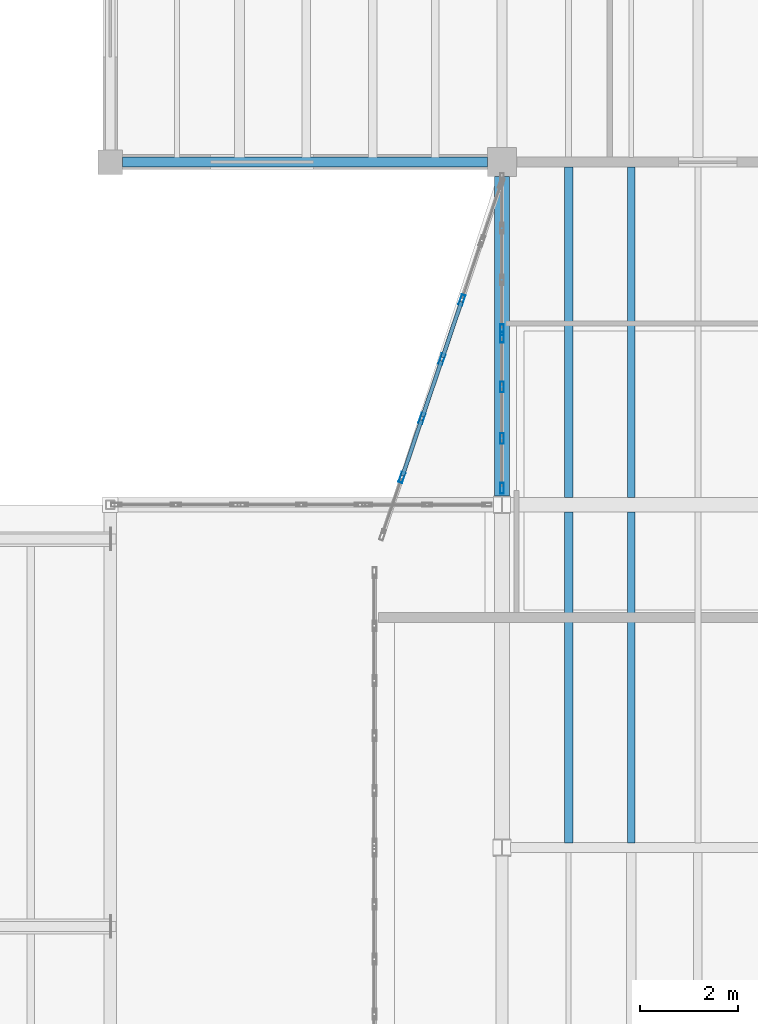
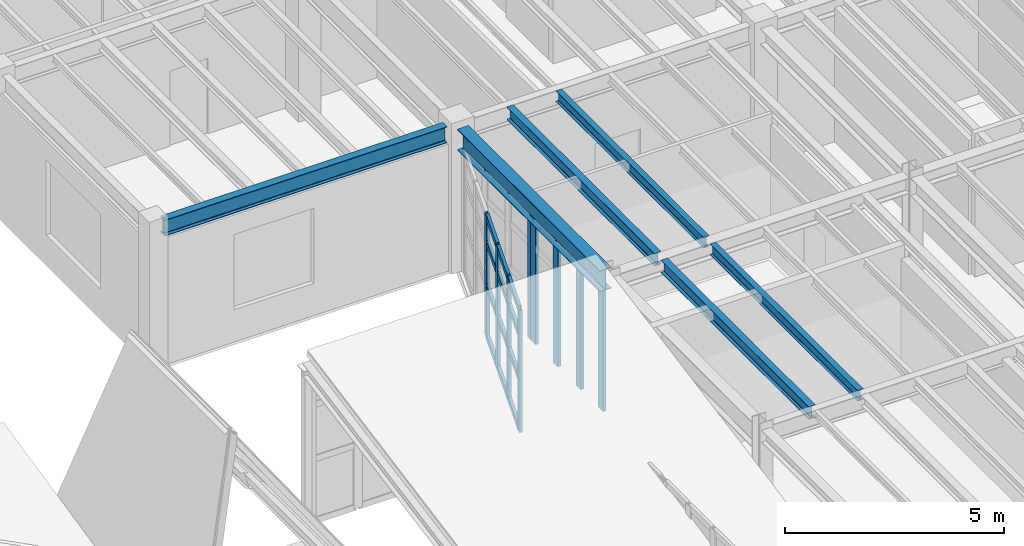
# One storey, part 38 of 77: 21 members, 6 beams, 3 elements without a shape of their own.
"""IFC4 building model written with IfcOpenShell, lengths in metres."""

from ifc_helpers import new_model, si_unit, direction, frame, origin, origin_2d, place, context, subcontext, project, spatial, hollow_rectangle, i_section, extrude, material, material_profile, profile_set, type_object, element, aggregate, save


model = new_model("IFC4")

# Units and contexts
model_context = context("Model", 3, precision=1e-05, world=origin(), true_north=direction((0.0, 1.0)))
body_context = subcontext(model_context, "Body", "Model", "MODEL_VIEW")
ifc_project = project(units=[si_unit("LENGTHUNIT", "METRE"), si_unit("AREAUNIT", "SQUARE_METRE"), si_unit("VOLUMEUNIT", "CUBIC_METRE"), si_unit("PLANEANGLEUNIT", "RADIAN"), si_unit("MASSUNIT", "GRAM", prefix="KILO"), si_unit("THERMODYNAMICTEMPERATUREUNIT", "KELVIN"), si_unit("POWERUNIT", "WATT")], contexts=[model_context])

# Site, building, storey
site_placement = place(None, origin())
site = spatial("IfcSite", under=ifc_project, at=site_placement, CompositionType="ELEMENT")
building_placement = place(site_placement, origin())
building = spatial("IfcBuilding", under=site, at=building_placement, Name="Zhenchuan Central Fire Station", CompositionType="ELEMENT")
storey_placement = place(building_placement, frame((0.0, 0.0, 10.050048828125)))
storey = spatial("IfcBuildingStorey", under=building, at=storey_placement, Name="L03", CompositionType="ELEMENT", Elevation=10.050048828125)

# Beams
ifc_material_1 = material(Name="Steel Q355B", Category="steel")
ifc_material_profile_1 = material_profile(ifc_material_1, i_section(OverallWidth=0.300048828125, OverallDepth=0.587890625, WebThickness=0.011962890625, FlangeThickness=0.02001953125, FilletRadius=0.02392578125, at=origin_2d()), Name="HM 588x300")
ifc_profile_set_1 = profile_set([ifc_material_profile_1], Name="Steel Q355B")
beam_type_1 = type_object("IfcBeamType", Name="BM-HM588", PredefinedType="BEAM", material=ifc_profile_set_1)
beam_1_placement = place(storey_placement, frame((140.0, 35.675048828125, 3.7060546875), z_axis=(0.0, 1.0, 0.0), x_axis=(-1.0, 0.0, 0.0)))
element("IfcBeam", 1, at=beam_1_placement, inside=storey, type_object=beam_type_1, Name="L04 Girder NS 0407", PredefinedType="BEAM", context=body_context, shape_type="SweptSolid", body=[
    extrude(i_section(OverallWidth=0.300048828125, OverallDepth=0.587890625, WebThickness=0.011962890625, FlangeThickness=0.02001953125, FilletRadius=0.02392578125, at=origin_2d()), origin(), (0.0, 0.0, 1.0), 6.52490234375),
])
ifc_material_profile_2 = material_profile(ifc_material_1, i_section(OverallWidth=0.199951171875, OverallDepth=0.449951171875, WebThickness=0.009033203125, FlangeThickness=0.013916015625, FilletRadius=0.01806640625, at=origin_2d()), Name="HN 450x200")
ifc_profile_set_2 = profile_set([ifc_material_profile_2], Name="Steel Q355B")
beam_type_2 = type_object("IfcBeamType", Name="BM-HN450", PredefinedType="BEAM", material=ifc_profile_set_2)
beam_2_placement = place(storey_placement, frame((132.25, 42.5, 3.77490234375), z_axis=(1.0, 0.0, 0.0), x_axis=(0.0, 1.0, 0.0)))
element("IfcBeam", 2, at=beam_2_placement, inside=storey, type_object=beam_type_2, Name="L04 Girder EW 0368", PredefinedType="BEAM", context=body_context, shape_type="SweptSolid", body=[
    extrude(i_section(OverallWidth=0.199951171875, OverallDepth=0.449951171875, WebThickness=0.009033203125, FlangeThickness=0.013916015625, FilletRadius=0.01806640625, at=origin_2d()), origin(), (0.0, 0.0, 1.0), 7.449951171875),
])

# Curtain wall, members
ifc_material_2 = material(Name="Anodised aluminium and low-E glazing", Category="aluminium")
curtain_wall_type_1 = type_object("IfcCurtainWallType", Name="CW-MOD-16", PredefinedType="USERDEFINED", material=ifc_material_2)
curtain_wall_1_placement = place(storey_placement, origin())
curtain_wall_1 = element("IfcCurtainWall", 3, at=curtain_wall_1_placement, inside=storey, type_object=curtain_wall_type_1, Name="L03 Unitised Curtain Wall 116", ObjectType="UNITISED GLAZING", PredefinedType="USERDEFINED")
ifc_material_3 = material(Name="Anodised aluminium EN AW-6063", Category="aluminium")
ifc_material_profile_3 = material_profile(ifc_material_3, hollow_rectangle(XDim=0.080078125, YDim=0.219970703125, WallThickness=0.005615234375, at=origin_2d()), Name="ALU-M 220x80")
ifc_profile_set_3 = profile_set([ifc_material_profile_3], Name="Anodised aluminium EN AW-6063")
member_type_1 = type_object("IfcMemberType", Name="CW-MUL200", PredefinedType="MULLION", material=ifc_profile_set_3)
member_1_placement = place(storey_placement, frame((140.0, 35.83740234375, -0.004150390625), z_axis=(0.0, 0.0, 1.0), x_axis=(-1.0, 0.0, 0.0)))
member_1 = element("IfcMember", 4, at=member_1_placement, type_object=member_type_1, Name="CW-16 mullion 1", PredefinedType="MULLION", context=body_context, shape_type="SweptSolid", body=[
    extrude(hollow_rectangle(XDim=0.080078125, YDim=0.219970703125, WallThickness=0.005615234375, at=origin_2d()), origin(), (0.0, 0.0, 1.0), 3.404052734375),
])
member_2_placement = place(storey_placement, frame((140.0, 36.85400390625, -0.004150390625), z_axis=(0.0, 0.0, 1.0), x_axis=(-1.0, 0.0, 0.0)))
member_2 = element("IfcMember", 5, at=member_2_placement, type_object=member_type_1, Name="CW-16 mullion 2", PredefinedType="MULLION", context=body_context, shape_type="SweptSolid", body=[
    extrude(hollow_rectangle(XDim=0.080078125, YDim=0.219970703125, WallThickness=0.005615234375, at=origin_2d()), origin(), (0.0, 0.0, 1.0), 3.404052734375),
])
member_3_placement = place(storey_placement, frame((140.0, 37.907958984375, -0.004150390625), z_axis=(0.0, 0.0, 1.0), x_axis=(-1.0, 0.0, 0.0)))
member_3 = element("IfcMember", 6, at=member_3_placement, type_object=member_type_1, Name="CW-16 mullion 3", PredefinedType="MULLION", context=body_context, shape_type="SweptSolid", body=[
    extrude(hollow_rectangle(XDim=0.080078125, YDim=0.219970703125, WallThickness=0.005615234375, at=origin_2d()), origin(), (0.0, 0.0, 1.0), 3.404052734375),
])
member_4_placement = place(storey_placement, frame((140.0, 38.924560546875, -0.004150390625), z_axis=(0.0, 0.0, 1.0), x_axis=(-1.0, 0.0, 0.0)))
member_4 = element("IfcMember", 7, at=member_4_placement, type_object=member_type_1, Name="CW-16 mullion 4", PredefinedType="MULLION", context=body_context, shape_type="SweptSolid", body=[
    extrude(hollow_rectangle(XDim=0.080078125, YDim=0.219970703125, WallThickness=0.005615234375, at=origin_2d()), origin(), (0.0, 0.0, 1.0), 3.404052734375),
])
aggregate(curtain_wall_1, [member_1, member_2, member_3, member_4])

# Curtain wall, member
curtain_wall_type_2 = type_object("IfcCurtainWallType", Name="CW-MOD-17", PredefinedType="USERDEFINED", material=ifc_material_2)
curtain_wall_2_placement = place(storey_placement, origin())
curtain_wall_2 = element("IfcCurtainWall", 8, at=curtain_wall_2_placement, inside=storey, type_object=curtain_wall_type_2, Name="L03 Unitised Curtain Wall 117", ObjectType="UNITISED GLAZING", PredefinedType="USERDEFINED")
member_5_placement = place(storey_placement, frame((140.0, 39.075439453125, -0.004150390625), z_axis=(0.0, 0.0, 1.0), x_axis=(-1.0, 0.0, 0.0)))
member_5 = element("IfcMember", 9, at=member_5_placement, type_object=member_type_1, Name="CW-17 mullion 1", PredefinedType="MULLION", context=body_context, shape_type="SweptSolid", body=[
    extrude(hollow_rectangle(XDim=0.080078125, YDim=0.219970703125, WallThickness=0.005615234375, at=origin_2d()), origin(), (0.0, 0.0, 1.0), 3.404052734375),
])
aggregate(curtain_wall_2, [member_5])

# Curtain wall, members
curtain_wall_type_3 = type_object("IfcCurtainWallType", Name="CW-MOD-18", PredefinedType="USERDEFINED", material=ifc_material_2)
curtain_wall_3_placement = place(storey_placement, origin())
curtain_wall_3 = element("IfcCurtainWall", 10, at=curtain_wall_3_placement, inside=storey, type_object=curtain_wall_type_3, Name="L03 Unitised Curtain Wall 121", ObjectType="UNITISED GLAZING", PredefinedType="USERDEFINED")
member_6_placement = place(storey_placement, frame((137.958251953125, 36.058349609375, -0.004150390625), z_axis=(0.0, 0.0, 1.0), x_axis=(-0.94736848346, 0.320145211655, 0.0)))
member_6 = element("IfcMember", 11, at=member_6_placement, type_object=member_type_1, Name="CW-18 mullion 2", PredefinedType="MULLION", context=body_context, shape_type="SweptSolid", body=[
    extrude(hollow_rectangle(XDim=0.080078125, YDim=0.219970703125, WallThickness=0.005615234375, at=origin_2d()), origin(), (0.0, 0.0, 1.0), 3.404052734375),
])
member_7_placement = place(storey_placement, frame((138.36669921875, 37.2666015625, -0.004150390625), z_axis=(0.0, 0.0, 1.0), x_axis=(-0.94736848346, 0.320145211655, 0.0)))
member_7 = element("IfcMember", 12, at=member_7_placement, type_object=member_type_1, Name="CW-18 mullion 3", PredefinedType="MULLION", context=body_context, shape_type="SweptSolid", body=[
    extrude(hollow_rectangle(XDim=0.080078125, YDim=0.219970703125, WallThickness=0.005615234375, at=origin_2d()), origin(), (0.0, 0.0, 1.0), 3.404052734375),
])
member_8_placement = place(storey_placement, frame((138.77490234375, 38.47509765625, -0.004150390625), z_axis=(0.0, 0.0, 1.0), x_axis=(-0.94736848346, 0.320145211655, 0.0)))
member_8 = element("IfcMember", 13, at=member_8_placement, type_object=member_type_1, Name="CW-18 mullion 4", PredefinedType="MULLION", context=body_context, shape_type="SweptSolid", body=[
    extrude(hollow_rectangle(XDim=0.080078125, YDim=0.219970703125, WallThickness=0.005615234375, at=origin_2d()), origin(), (0.0, 0.0, 1.0), 3.404052734375),
])
member_9_placement = place(storey_placement, frame((139.183349609375, 39.683349609375, -0.004150390625), z_axis=(0.0, 0.0, 1.0), x_axis=(-0.94736848346, 0.320145211655, 0.0)))
member_9 = element("IfcMember", 14, at=member_9_placement, type_object=member_type_1, Name="CW-18 mullion 5", PredefinedType="MULLION", context=body_context, shape_type="SweptSolid", body=[
    extrude(hollow_rectangle(XDim=0.080078125, YDim=0.219970703125, WallThickness=0.005615234375, at=origin_2d()), origin(), (0.0, 0.0, 1.0), 3.404052734375),
])
ifc_material_profile_4 = material_profile(ifc_material_3, hollow_rectangle(XDim=0.080078125, YDim=0.1650390625, WallThickness=0.0048828125, at=origin_2d()), Name="ALU-T 165x80")
ifc_profile_set_4 = profile_set([ifc_material_profile_4], Name="Anodised aluminium EN AW-6063")
member_type_2 = type_object("IfcMemberType", Name="CW-TRN150", PredefinedType="NOTDEFINED", material=ifc_profile_set_4)
member_10_placement = place(storey_placement, frame((137.970458984375, 36.09375, 0.033447265625), z_axis=(0.320068432421, 0.94739442608, 0.0), x_axis=(-0.94739442608, 0.320068432421, 0.0)))
member_10 = element("IfcMember", 15, at=member_10_placement, type_object=member_type_2, Name="CW-18 transom 2.1", ObjectType="TRANSOM", PredefinedType="USERDEFINED", context=body_context, shape_type="SweptSolid", body=[
    extrude(hollow_rectangle(XDim=0.080078125, YDim=0.1650390625, WallThickness=0.0048828125, at=origin_2d()), origin(), (0.0, 0.0, 1.0), 1.20068359375),
])
member_11_placement = place(storey_placement, frame((137.970458984375, 36.09375, 1.427978515625), z_axis=(0.320068432421, 0.94739442608, 0.0), x_axis=(-0.94739442608, 0.320068432421, 0.0)))
member_11 = element("IfcMember", 16, at=member_11_placement, type_object=member_type_2, Name="CW-18 transom 2.2", ObjectType="TRANSOM", PredefinedType="USERDEFINED", context=body_context, shape_type="SweptSolid", body=[
    extrude(hollow_rectangle(XDim=0.080078125, YDim=0.1650390625, WallThickness=0.0048828125, at=origin_2d()), origin(), (0.0, 0.0, 1.0), 1.20068359375),
])
member_12_placement = place(storey_placement, frame((137.970458984375, 36.09375, 2.65185546875), z_axis=(0.320068432421, 0.94739442608, 0.0), x_axis=(-0.94739442608, 0.320068432421, 0.0)))
member_12 = element("IfcMember", 17, at=member_12_placement, type_object=member_type_2, Name="CW-18 transom 2.3", ObjectType="TRANSOM", PredefinedType="USERDEFINED", context=body_context, shape_type="SweptSolid", body=[
    extrude(hollow_rectangle(XDim=0.080078125, YDim=0.1650390625, WallThickness=0.0048828125, at=origin_2d()), origin(), (0.0, 0.0, 1.0), 1.20068359375),
])
member_13_placement = place(storey_placement, frame((137.970458984375, 36.09375, 3.362548828125), z_axis=(0.320068432421, 0.94739442608, 0.0), x_axis=(-0.94739442608, 0.320068432421, 0.0)))
member_13 = element("IfcMember", 18, at=member_13_placement, type_object=member_type_2, Name="CW-18 transom 2.4", ObjectType="TRANSOM", PredefinedType="USERDEFINED", context=body_context, shape_type="SweptSolid", body=[
    extrude(hollow_rectangle(XDim=0.080078125, YDim=0.1650390625, WallThickness=0.0048828125, at=origin_2d()), origin(), (0.0, 0.0, 1.0), 1.20068359375),
])
member_14_placement = place(storey_placement, frame((138.378662109375, 37.30224609375, 0.033447265625), z_axis=(0.320130104797, 0.947373588402, 0.0), x_axis=(-0.947373588402, 0.320130104797, 0.0)))
member_14 = element("IfcMember", 19, at=member_14_placement, type_object=member_type_2, Name="CW-18 transom 3.1", ObjectType="TRANSOM", PredefinedType="USERDEFINED", context=body_context, shape_type="SweptSolid", body=[
    extrude(hollow_rectangle(XDim=0.080078125, YDim=0.1650390625, WallThickness=0.0048828125, at=origin_2d()), origin(), (0.0, 0.0, 1.0), 1.200439453125),
])
member_15_placement = place(storey_placement, frame((138.378662109375, 37.30224609375, 1.427978515625), z_axis=(0.320130104797, 0.947373588402, 0.0), x_axis=(-0.947373588402, 0.320130104797, 0.0)))
member_15 = element("IfcMember", 20, at=member_15_placement, type_object=member_type_2, Name="CW-18 transom 3.2", ObjectType="TRANSOM", PredefinedType="USERDEFINED", context=body_context, shape_type="SweptSolid", body=[
    extrude(hollow_rectangle(XDim=0.080078125, YDim=0.1650390625, WallThickness=0.0048828125, at=origin_2d()), origin(), (0.0, 0.0, 1.0), 1.200439453125),
])
member_16_placement = place(storey_placement, frame((138.378662109375, 37.30224609375, 2.65185546875), z_axis=(0.320130104797, 0.947373588402, 0.0), x_axis=(-0.947373588402, 0.320130104797, 0.0)))
member_16 = element("IfcMember", 21, at=member_16_placement, type_object=member_type_2, Name="CW-18 transom 3.3", ObjectType="TRANSOM", PredefinedType="USERDEFINED", context=body_context, shape_type="SweptSolid", body=[
    extrude(hollow_rectangle(XDim=0.080078125, YDim=0.1650390625, WallThickness=0.0048828125, at=origin_2d()), origin(), (0.0, 0.0, 1.0), 1.200439453125),
])
member_17_placement = place(storey_placement, frame((138.378662109375, 37.30224609375, 3.362548828125), z_axis=(0.320130104797, 0.947373588402, 0.0), x_axis=(-0.947373588402, 0.320130104797, 0.0)))
member_17 = element("IfcMember", 22, at=member_17_placement, type_object=member_type_2, Name="CW-18 transom 3.4", ObjectType="TRANSOM", PredefinedType="USERDEFINED", context=body_context, shape_type="SweptSolid", body=[
    extrude(hollow_rectangle(XDim=0.080078125, YDim=0.1650390625, WallThickness=0.0048828125, at=origin_2d()), origin(), (0.0, 0.0, 1.0), 1.200439453125),
])
member_18_placement = place(storey_placement, frame((138.787109375, 38.510498046875, 0.033447265625), z_axis=(0.320130104797, 0.947373588402, 0.0), x_axis=(-0.947373588402, 0.320130104797, 0.0)))
member_18 = element("IfcMember", 23, at=member_18_placement, type_object=member_type_2, Name="CW-18 transom 4.1", ObjectType="TRANSOM", PredefinedType="USERDEFINED", context=body_context, shape_type="SweptSolid", body=[
    extrude(hollow_rectangle(XDim=0.080078125, YDim=0.1650390625, WallThickness=0.0048828125, at=origin_2d()), origin(), (0.0, 0.0, 1.0), 1.200439453125),
])
member_19_placement = place(storey_placement, frame((138.787109375, 38.510498046875, 1.427978515625), z_axis=(0.320130104797, 0.947373588402, 0.0), x_axis=(-0.947373588402, 0.320130104797, 0.0)))
member_19 = element("IfcMember", 24, at=member_19_placement, type_object=member_type_2, Name="CW-18 transom 4.2", ObjectType="TRANSOM", PredefinedType="USERDEFINED", context=body_context, shape_type="SweptSolid", body=[
    extrude(hollow_rectangle(XDim=0.080078125, YDim=0.1650390625, WallThickness=0.0048828125, at=origin_2d()), origin(), (0.0, 0.0, 1.0), 1.200439453125),
])
member_20_placement = place(storey_placement, frame((138.787109375, 38.510498046875, 2.65185546875), z_axis=(0.320130104797, 0.947373588402, 0.0), x_axis=(-0.947373588402, 0.320130104797, 0.0)))
member_20 = element("IfcMember", 25, at=member_20_placement, type_object=member_type_2, Name="CW-18 transom 4.3", ObjectType="TRANSOM", PredefinedType="USERDEFINED", context=body_context, shape_type="SweptSolid", body=[
    extrude(hollow_rectangle(XDim=0.080078125, YDim=0.1650390625, WallThickness=0.0048828125, at=origin_2d()), origin(), (0.0, 0.0, 1.0), 1.200439453125),
])
member_21_placement = place(storey_placement, frame((138.787109375, 38.510498046875, 3.362548828125), z_axis=(0.320130104797, 0.947373588402, 0.0), x_axis=(-0.947373588402, 0.320130104797, 0.0)))
member_21 = element("IfcMember", 26, at=member_21_placement, type_object=member_type_2, Name="CW-18 transom 4.4", ObjectType="TRANSOM", PredefinedType="USERDEFINED", context=body_context, shape_type="SweptSolid", body=[
    extrude(hollow_rectangle(XDim=0.080078125, YDim=0.1650390625, WallThickness=0.0048828125, at=origin_2d()), origin(), (0.0, 0.0, 1.0), 1.200439453125),
])
aggregate(curtain_wall_3, [member_6, member_7, member_8, member_9, member_10, member_11, member_12, member_13, member_14, member_15, member_16, member_17, member_18, member_19, member_20, member_21])

# Beams
ifc_material_profile_5 = material_profile(ifc_material_1, i_section(OverallWidth=0.14990234375, OverallDepth=0.300048828125, WebThickness=0.006591796875, FlangeThickness=0.009033203125, FilletRadius=0.012939453125, at=origin_2d()), Name="HN 300x150")
ifc_profile_set_5 = profile_set([ifc_material_profile_5], Name="Steel Q355B")
beam_type_3 = type_object("IfcBeamType", Name="JS-HN300", PredefinedType="JOIST", material=ifc_profile_set_5)
for number, where, z_axis, x_axis, name in (
    (27, (142.639892578125, 28.596923828125, 3.849853515625), (0.0, 1.0, 0.0), (-1.0, 0.0, 0.0), "L04 Secondary Joist 0608"),
    (28, (142.639892578125, 35.64697265625, 3.849853515625), (0.0, 1.0, 0.0), (-1.0, 0.0, 0.0), "L04 Secondary Joist 0620"),
):
    element("IfcBeam", number, at=place(storey_placement, frame(where, z_axis=z_axis, x_axis=x_axis)), inside=storey, type_object=beam_type_3, Name=name, PredefinedType="JOIST", context=body_context, shape_type="SweptSolid", body=[
        extrude(i_section(OverallWidth=0.14990234375, OverallDepth=0.300048828125, WebThickness=0.006591796875, FlangeThickness=0.009033203125, FilletRadius=0.012939453125, at=origin_2d()), origin(), (0.0, 0.0, 1.0), 6.756103515625),
    ])
ifc_material_profile_6 = material_profile(ifc_material_1, i_section(OverallWidth=0.175048828125, OverallDepth=0.35009765625, WebThickness=0.007080078125, FlangeThickness=0.010986328125, FilletRadius=0.013916015625, at=origin_2d()), Name="HN 350x175")
ifc_profile_set_6 = profile_set([ifc_material_profile_6], Name="Steel Q355B")
beam_type_4 = type_object("IfcBeamType", Name="JS-HN350", PredefinedType="JOIST", material=ifc_profile_set_6)
for number, where, z_axis, x_axis, name in (
    (29, (141.360107421875, 28.596923828125, 3.824951171875), (0.0, 1.0, 0.0), (-1.0, 0.0, 0.0), "L04 Secondary Joist 0607"),
    (30, (141.360107421875, 35.64697265625, 3.824951171875), (0.0, 1.0, 0.0), (-1.0, 0.0, 0.0), "L04 Secondary Joist 0619"),
):
    element("IfcBeam", number, at=place(storey_placement, frame(where, z_axis=z_axis, x_axis=x_axis)), inside=storey, type_object=beam_type_4, Name=name, PredefinedType="JOIST", context=body_context, shape_type="SweptSolid", body=[
        extrude(i_section(OverallWidth=0.175048828125, OverallDepth=0.35009765625, WebThickness=0.007080078125, FlangeThickness=0.010986328125, FilletRadius=0.013916015625, at=origin_2d()), origin(), (0.0, 0.0, 1.0), 6.756103515625),
    ])

save(model, "model.ifc")
